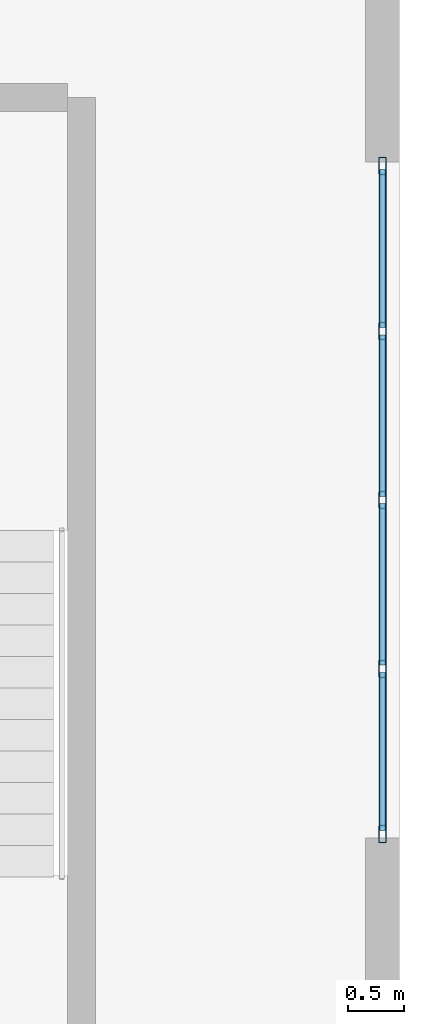
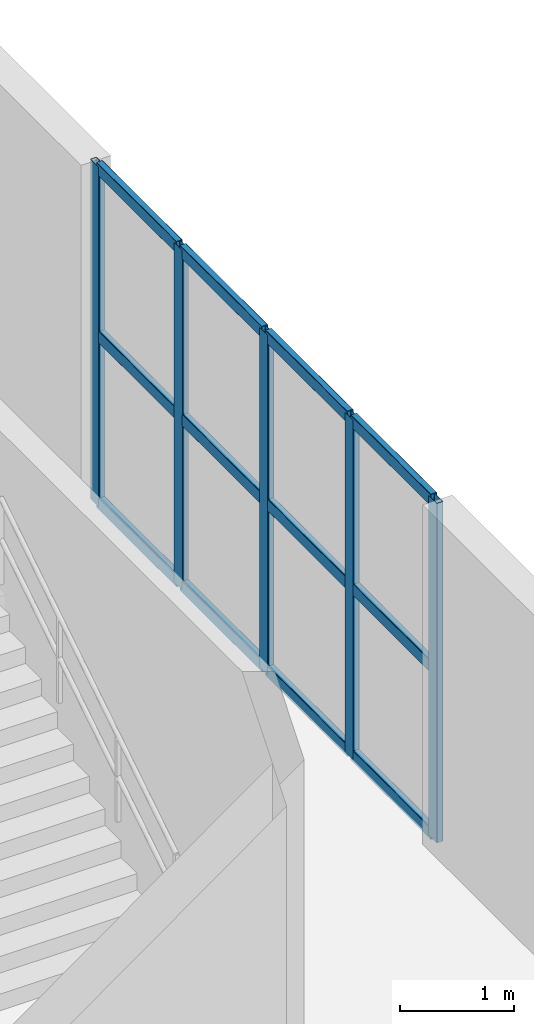
# One storey, part 2 of 6: 17 members, 1 element without a shape of its own.
"""IFC4 building model written with IfcOpenShell, lengths in metres."""

import ifcopenshell
import ifcopenshell.guid

model = None  # the IFC model being written
_history = None  # IfcOwnerHistory: only IFC2X3 demands one
_inside = {}  # id of a spatial element -> (the spatial element, [elements in it])
_under = {}  # id of a project, library or spatial element -> (it, [spatial elements below it])
_declared = {}  # id of a project -> (the project, [libraries it declares])
_typed = {}  # id of a type object -> (the type object, [elements of that type])
_made_of = {}  # id of a material, layer set ... -> (it, [elements and type objects made of it])


def new_model(schema):
    """Start an empty IFC model of exactly this schema.

    Asked for "IFC4X3", IfcOpenShell would pick the latest addendum, in which some entities
    have other attributes; the version numbers below select the first issue.
    IFC2X3 requires an IfcOwnerHistory on every rooted entity: one is made here for all.
    """
    global model, _history
    if schema == "IFC4X3":
        model = ifcopenshell.file(schema_version=(4, 3, 0, 0))
    else:
        model = ifcopenshell.file(schema=schema)
    _inside.clear()
    _under.clear()
    _declared.clear()
    _typed.clear()
    _made_of.clear()
    _history = None
    if model.schema == "IFC2X3":
        org = make("IfcOrganization", Name="unknown")
        user = make(
            "IfcPersonAndOrganization",
            ThePerson=make("IfcPerson", FamilyName="unknown"),
            TheOrganization=org,
        )
        app = make(
            "IfcApplication",
            ApplicationDeveloper=org,
            Version="unknown",
            ApplicationFullName="unknown",
            ApplicationIdentifier="unknown",
        )
        _history = make(
            "IfcOwnerHistory",
            OwningUser=user,
            OwningApplication=app,
            ChangeAction="ADDED",
            CreationDate=0,
        )
    return model


def make(cls, **values):
    """One entity of the class cls with the attributes given. An attribute that is None is left unset."""
    return model.create_entity(
        cls, **{name: value for name, value in values.items() if value is not None}
    )


def entity(cls, *values):
    """Any entity or typed value of the class cls, its attributes in the order of the schema. None: left unset."""
    e = model.create_entity(cls)
    for i, value in enumerate(values):
        if value is not None:
            e[i] = value
    return e


def rooted(cls, **values):
    """An entity with a GlobalId (a new one), such as an element, a storey or a relation."""
    return make(cls, GlobalId=ifcopenshell.guid.new(), OwnerHistory=_history, **values)


def si_unit(unit_type, name, prefix=None):
    """IfcSIUnit, for example si_unit("LENGTHUNIT", "METRE", prefix="MILLI")."""
    return make("IfcSIUnit", UnitType=unit_type, Prefix=prefix, Name=name)


def converted_unit(unit_type, name, factor, base, dimensions=None, offset=None):
    """IfcConversionBasedUnit, such as the inch: factor (a typed value) times the base unit."""
    return make(
        "IfcConversionBasedUnit"
        if offset is None
        else "IfcConversionBasedUnitWithOffset",
        ConversionOffset=offset,
        Dimensions=None
        if dimensions is None
        else entity("IfcDimensionalExponents", *dimensions),
        UnitType=unit_type,
        Name=name,
        ConversionFactor=make(
            "IfcMeasureWithUnit", ValueComponent=factor, UnitComponent=base
        ),
    )


def assignment(units):
    """IfcUnitAssignment: the units of a project."""
    return None if units is None else make("IfcUnitAssignment", Units=units)


def point(xyz):
    """IfcCartesianPoint."""
    return None if xyz is None else make("IfcCartesianPoint", Coordinates=xyz)


def direction(xyz):
    """IfcDirection."""
    return None if xyz is None else make("IfcDirection", DirectionRatios=xyz)


def frame(location, z_axis=None, x_axis=None):
    """IfcAxis2Placement3D, a coordinate frame: its origin and axes. An axis left out is left unset."""
    return make(
        "IfcAxis2Placement3D",
        Location=point(location),
        Axis=direction(z_axis),
        RefDirection=direction(x_axis),
    )


def frame_2d(location, x_axis=None):
    """IfcAxis2Placement2D, a coordinate frame in the plane: its origin and x axis."""
    return make(
        "IfcAxis2Placement2D", Location=point(location), RefDirection=direction(x_axis)
    )


def origin_with_axes():
    """The frame at (0, 0, 0) with the z axis (0, 0, 1) and the x axis (1, 0, 0) written out."""
    return frame((0.0, 0.0, 0.0), z_axis=(0.0, 0.0, 1.0), x_axis=(1.0, 0.0, 0.0))


def origin_2d_with_axis():
    """The frame at (0, 0) in the plane with the x axis (1, 0) written out."""
    return frame_2d((0.0, 0.0), x_axis=(1.0, 0.0))


def place(relative_to, where):
    """IfcLocalPlacement: puts the frame where relative to a parent placement (None: the world)."""
    return make(
        "IfcLocalPlacement", PlacementRelTo=relative_to, RelativePlacement=where
    )


def context(
    kind, dimensions, precision=None, world=None, true_north=None, identifier=None
):
    """IfcGeometricRepresentationContext, for example the 3D "Model" context."""
    return make(
        "IfcGeometricRepresentationContext",
        ContextIdentifier=identifier,
        ContextType=kind,
        CoordinateSpaceDimension=dimensions,
        Precision=precision,
        WorldCoordinateSystem=world,
        TrueNorth=true_north,
    )


def subcontext(parent, identifier, kind, view, scale=None):
    """IfcGeometricRepresentationSubContext, for example "Body" below "Model"."""
    return make(
        "IfcGeometricRepresentationSubContext",
        ContextIdentifier=identifier,
        ContextType=kind,
        ParentContext=parent,
        TargetScale=scale,
        TargetView=view,
    )


def project(units=None, contexts=None):
    """IfcProject with its units and contexts."""
    return rooted(
        "IfcProject",
        Name="project",
        RepresentationContexts=contexts,
        UnitsInContext=assignment(units),
    )


def spatial(cls, under=None, at=None, **own):
    """A site, building, storey or space (cls), placed at a placement, below another one or the project."""
    s = rooted(cls, ObjectPlacement=at, **own)
    if under is not None:
        _under.setdefault(under.id(), (under, []))[1].append(s)
    return s


def profile(cls, at=None, kind="AREA", **sizes):
    """A parametric profile (cls). Its sizes go by their IFC names, for example OverallWidth=200.0."""
    return make(cls, ProfileType=kind, Position=at, **sizes)


def hollow_rectangle(**sizes):
    """IfcRectangleHollowProfileDef."""
    return profile("IfcRectangleHollowProfileDef", **sizes)


def extrude(swept, where, along, depth):
    """IfcExtrudedAreaSolid: the profile swept, set in the frame where, extruded along a direction by depth."""
    return make(
        "IfcExtrudedAreaSolid",
        SweptArea=swept,
        Position=where,
        ExtrudedDirection=direction(along),
        Depth=depth,
    )


def shape(context_of_items, identifier, shape_type, items):
    """IfcShapeRepresentation: the items that make up one representation, for example the "Body"."""
    return make(
        "IfcShapeRepresentation",
        ContextOfItems=context_of_items,
        RepresentationIdentifier=identifier,
        RepresentationType=shape_type,
        Items=items,
    )


def material(Name=None, Category=None):
    """IfcMaterial."""
    return make("IfcMaterial", Name=Name, Category=Category)


def material_profile(
    of_material, cross_section, Name=None, Category=None, Priority=None
):
    """IfcMaterialProfile: a cross section and its material."""
    return make(
        "IfcMaterialProfile",
        Name=Name,
        Material=of_material,
        Profile=cross_section,
        Priority=Priority,
        Category=Category,
    )


def profile_set(profiles, Name=None, composite=None):
    """IfcMaterialProfileSet."""
    return make(
        "IfcMaterialProfileSet",
        Name=Name,
        MaterialProfiles=profiles,
        CompositeProfile=composite,
    )


def made_of(thing, what):
    """Note that an element or type object is made of a material, layer set ...; save() writes the relation."""
    if what is not None:
        _made_of.setdefault(what.id(), (what, []))[1].append(thing)
    return thing


def type_object(cls, material=None, **own):
    """A type object (cls), such as IfcWallType, which elements share."""
    return made_of(rooted(cls, **own), material)


def element(
    cls,
    number,
    at=None,
    inside=None,
    cuts=None,
    type_object=None,
    material=None,
    context=None,
    identifier="Body",
    shape_type=None,
    held_by="IfcProductDefinitionShape",
    body=None,
    shapes=None,
    **own,
):
    """One element of the class cls, such as IfcWall. Its Tag is "e" and its number.

    at: its placement. inside: the storey or other place that contains it. cuts: it is an
    opening in that element (IfcRelVoidsElement). A single representation is given by context,
    identifier, shape_type and body (its items); several are given by shapes. held_by: the class
    of the entity that holds the representations. save() writes the other relations.
    """
    e = rooted(cls, Tag="e%d" % number, ObjectPlacement=at, **own)
    if body is not None:
        shapes = [shape(context, identifier, shape_type, body)]
    if shapes is not None:
        e.Representation = make(held_by, Representations=shapes)
    if inside is not None:
        _inside.setdefault(inside.id(), (inside, []))[1].append(e)
    if cuts is not None:
        rooted(
            "IfcRelVoidsElement", RelatingBuildingElement=cuts, RelatedOpeningElement=e
        )
    if type_object is not None:
        _typed.setdefault(type_object.id(), (type_object, []))[1].append(e)
    return made_of(e, material)


def aggregate(whole, parts):
    """IfcRelAggregates: a whole, such as a stair, and the parts it consists of."""
    return rooted("IfcRelAggregates", RelatingObject=whole, RelatedObjects=parts)


def save(model, path):
    """Write the relations noted so far, then the file.

    IfcRelAggregates (storeys below a building ...), IfcRelContainedInSpatialStructure (elements
    in a storey), IfcRelDefinesByType, IfcRelAssociatesMaterial and IfcRelDeclares: one each for
    every whole, place, type object, material and project.
    """
    for whole, parts in _under.values():
        aggregate(whole, parts)
    for where, things in _inside.values():
        rooted(
            "IfcRelContainedInSpatialStructure",
            RelatedElements=things,
            RelatingStructure=where,
        )
    for kind, things in _typed.values():
        rooted("IfcRelDefinesByType", RelatedObjects=things, RelatingType=kind)
    for what, things in _made_of.values():
        rooted("IfcRelAssociatesMaterial", RelatedObjects=things, RelatingMaterial=what)
    for by, libraries in _declared.values():
        rooted("IfcRelDeclares", RelatingContext=by, RelatedDefinitions=libraries)
    model.write(path)


model = new_model("IFC4")

# Units and contexts
model_context = context("Model", 3, precision=1e-05, world=origin_with_axes(), true_north=direction((0.0, 1.0)))
body_context = subcontext(model_context, "Body", "Model", "MODEL_VIEW")
ifc_project = project(units=[si_unit("LENGTHUNIT", "METRE"), si_unit("AREAUNIT", "SQUARE_METRE"), si_unit("VOLUMEUNIT", "CUBIC_METRE"), converted_unit("PLANEANGLEUNIT", "DEGREE", entity("IfcPlaneAngleMeasure", 0.017453292519943295), si_unit("PLANEANGLEUNIT", "RADIAN"), dimensions=[0, 0, 0, 0, 0, 0, 0]), si_unit("MASSUNIT", "GRAM", prefix="KILO"), si_unit("THERMODYNAMICTEMPERATUREUNIT", "KELVIN")], contexts=[model_context])

# Site, building, storey
site_placement = place(None, origin_with_axes())
site = spatial("IfcSite", under=ifc_project, at=site_placement, CompositionType="ELEMENT")
building_placement = place(site_placement, origin_with_axes())
building = spatial("IfcBuilding", under=site, at=building_placement, Name="Varnlund Millrace Tower", CompositionType="ELEMENT")
storey_placement = place(building_placement, frame((0.0, 0.0, 320.4), z_axis=(0.0, 0.0, 1.0), x_axis=(1.0, 0.0, 0.0)))
storey = spatial("IfcBuildingStorey", under=building, at=storey_placement, Name="L79", CompositionType="ELEMENT", Elevation=320.4)

# Curtain wall, members
ifc_material_1 = material(Name="Thermally broken architectural bronze curtain wall", Category="aluminium")
curtain_wall_type = type_object("IfcCurtainWallType", Name="Type-CW-Sys7-CrownLantern", PredefinedType="NOTDEFINED", material=ifc_material_1)
curtain_wall_placement = place(storey_placement, frame((30.45, 37.0, 0.0), z_axis=(0.0, 0.0, 1.0), x_axis=(1.0, 0.0, 0.0)))
curtain_wall = element("IfcCurtainWall", 1, at=curtain_wall_placement, inside=storey, type_object=curtain_wall_type, Name="Type-CW-Sys7-CrownLantern", PredefinedType="NOTDEFINED")
ifc_material_2 = material(Name="Architectural bronze aluminium alloy 6063-T6", Category="aluminium")
ifc_material_profile_1 = material_profile(ifc_material_2, hollow_rectangle(XDim=0.065, YDim=0.155, WallThickness=0.0045, InnerFilletRadius=0.004, OuterFilletRadius=0.009, at=origin_2d_with_axis()), Name="Architectural bronze aluminium alloy 6063-T6")
ifc_profile_set_1 = profile_set([ifc_material_profile_1], Name="Architectural bronze aluminium alloy 6063-T6")
member_type_1 = type_object("IfcMemberType", Name="Type-CW-Mullion-65X155", PredefinedType="MULLION", material=ifc_profile_set_1)
member_1_placement = place(storey_placement, frame((30.45, 36.9675, 0.0), z_axis=(0.0, 0.0, 1.0), x_axis=(1.0, 0.0, 0.0)))
member_1 = element("IfcMember", 2, at=member_1_placement, type_object=member_type_1, Name="CW-07 mullion 1", PredefinedType="MULLION", context=body_context, shape_type="SweptSolid", body=[
    extrude(hollow_rectangle(XDim=0.065, YDim=0.155, WallThickness=0.0045, InnerFilletRadius=0.004, OuterFilletRadius=0.009, at=origin_2d_with_axis()), origin_with_axes(), (0.0, 0.0, 1.0), 3.64),
])
member_2_placement = place(storey_placement, frame((30.45, 35.5, 0.0), z_axis=(0.0, 0.0, 1.0), x_axis=(1.0, 0.0, 0.0)))
member_2 = element("IfcMember", 3, at=member_2_placement, type_object=member_type_1, Name="CW-07 mullion 2", PredefinedType="MULLION", context=body_context, shape_type="SweptSolid", body=[
    extrude(hollow_rectangle(XDim=0.065, YDim=0.155, WallThickness=0.0045, InnerFilletRadius=0.004, OuterFilletRadius=0.009, at=origin_2d_with_axis()), origin_with_axes(), (0.0, 0.0, 1.0), 3.64),
])
member_3_placement = place(storey_placement, frame((30.45, 34.0, 0.0), z_axis=(0.0, 0.0, 1.0), x_axis=(1.0, 0.0, 0.0)))
member_3 = element("IfcMember", 4, at=member_3_placement, type_object=member_type_1, Name="CW-07 mullion 3", PredefinedType="MULLION", context=body_context, shape_type="SweptSolid", body=[
    extrude(hollow_rectangle(XDim=0.065, YDim=0.155, WallThickness=0.0045, InnerFilletRadius=0.004, OuterFilletRadius=0.009, at=origin_2d_with_axis()), origin_with_axes(), (0.0, 0.0, 1.0), 3.64),
])
member_4_placement = place(storey_placement, frame((30.45, 32.5, 0.0), z_axis=(0.0, 0.0, 1.0), x_axis=(1.0, 0.0, 0.0)))
member_4 = element("IfcMember", 5, at=member_4_placement, type_object=member_type_1, Name="CW-07 mullion 4", PredefinedType="MULLION", context=body_context, shape_type="SweptSolid", body=[
    extrude(hollow_rectangle(XDim=0.065, YDim=0.155, WallThickness=0.0045, InnerFilletRadius=0.004, OuterFilletRadius=0.009, at=origin_2d_with_axis()), origin_with_axes(), (0.0, 0.0, 1.0), 3.64),
])
member_5_placement = place(storey_placement, frame((30.45, 31.0325, 0.0), z_axis=(0.0, 0.0, 1.0), x_axis=(1.0, 0.0, 0.0)))
member_5 = element("IfcMember", 6, at=member_5_placement, type_object=member_type_1, Name="CW-07 mullion 5", PredefinedType="MULLION", context=body_context, shape_type="SweptSolid", body=[
    extrude(hollow_rectangle(XDim=0.065, YDim=0.155, WallThickness=0.0045, InnerFilletRadius=0.004, OuterFilletRadius=0.009, at=origin_2d_with_axis()), origin_with_axes(), (0.0, 0.0, 1.0), 3.64),
])
ifc_material_profile_2 = material_profile(ifc_material_2, hollow_rectangle(XDim=0.065, YDim=0.13, WallThickness=0.0045, InnerFilletRadius=0.004, OuterFilletRadius=0.009, at=origin_2d_with_axis()), Name="Architectural bronze aluminium alloy 6063-T6")
ifc_profile_set_2 = profile_set([ifc_material_profile_2], Name="Architectural bronze aluminium alloy 6063-T6")
member_type_2 = type_object("IfcMemberType", Name="Type-CW-Transom-65X130", PredefinedType="USERDEFINED", material=ifc_profile_set_2)
member_6_placement = place(storey_placement, frame((30.45, 36.935, 0.0325), z_axis=(0.0, -1.0, 0.0), x_axis=(1.0, 0.0, 0.0)))
member_6 = element("IfcMember", 7, at=member_6_placement, type_object=member_type_2, Name="CW-07 transom 1.1", ObjectType="TRANSOM", PredefinedType="USERDEFINED", context=body_context, shape_type="SweptSolid", body=[
    extrude(hollow_rectangle(XDim=0.065, YDim=0.13, WallThickness=0.0045, InnerFilletRadius=0.004, OuterFilletRadius=0.009, at=origin_2d_with_axis()), origin_with_axes(), (0.0, 0.0, 1.0), 1.4025),
])
member_7_placement = place(storey_placement, frame((30.45, 36.935, 1.82), z_axis=(0.0, -1.0, 0.0), x_axis=(1.0, 0.0, 0.0)))
member_7 = element("IfcMember", 8, at=member_7_placement, type_object=member_type_2, Name="CW-07 transom 1.2", ObjectType="TRANSOM", PredefinedType="USERDEFINED", context=body_context, shape_type="SweptSolid", body=[
    extrude(hollow_rectangle(XDim=0.065, YDim=0.13, WallThickness=0.0045, InnerFilletRadius=0.004, OuterFilletRadius=0.009, at=origin_2d_with_axis()), origin_with_axes(), (0.0, 0.0, 1.0), 1.4025),
])
member_8_placement = place(storey_placement, frame((30.45, 36.935, 3.6075), z_axis=(0.0, -1.0, 0.0), x_axis=(1.0, 0.0, 0.0)))
member_8 = element("IfcMember", 9, at=member_8_placement, type_object=member_type_2, Name="CW-07 transom 1.3", ObjectType="TRANSOM", PredefinedType="USERDEFINED", context=body_context, shape_type="SweptSolid", body=[
    extrude(hollow_rectangle(XDim=0.065, YDim=0.13, WallThickness=0.0045, InnerFilletRadius=0.004, OuterFilletRadius=0.009, at=origin_2d_with_axis()), origin_with_axes(), (0.0, 0.0, 1.0), 1.4025),
])
member_9_placement = place(storey_placement, frame((30.45, 35.4675, 0.0325), z_axis=(0.0, -1.0, 0.0), x_axis=(1.0, 0.0, 0.0)))
member_9 = element("IfcMember", 10, at=member_9_placement, type_object=member_type_2, Name="CW-07 transom 2.1", ObjectType="TRANSOM", PredefinedType="USERDEFINED", context=body_context, shape_type="SweptSolid", body=[
    extrude(hollow_rectangle(XDim=0.065, YDim=0.13, WallThickness=0.0045, InnerFilletRadius=0.004, OuterFilletRadius=0.009, at=origin_2d_with_axis()), origin_with_axes(), (0.0, 0.0, 1.0), 1.435),
])
member_10_placement = place(storey_placement, frame((30.45, 35.4675, 1.82), z_axis=(0.0, -1.0, 0.0), x_axis=(1.0, 0.0, 0.0)))
member_10 = element("IfcMember", 11, at=member_10_placement, type_object=member_type_2, Name="CW-07 transom 2.2", ObjectType="TRANSOM", PredefinedType="USERDEFINED", context=body_context, shape_type="SweptSolid", body=[
    extrude(hollow_rectangle(XDim=0.065, YDim=0.13, WallThickness=0.0045, InnerFilletRadius=0.004, OuterFilletRadius=0.009, at=origin_2d_with_axis()), origin_with_axes(), (0.0, 0.0, 1.0), 1.435),
])
member_11_placement = place(storey_placement, frame((30.45, 35.4675, 3.6075), z_axis=(0.0, -1.0, 0.0), x_axis=(1.0, 0.0, 0.0)))
member_11 = element("IfcMember", 12, at=member_11_placement, type_object=member_type_2, Name="CW-07 transom 2.3", ObjectType="TRANSOM", PredefinedType="USERDEFINED", context=body_context, shape_type="SweptSolid", body=[
    extrude(hollow_rectangle(XDim=0.065, YDim=0.13, WallThickness=0.0045, InnerFilletRadius=0.004, OuterFilletRadius=0.009, at=origin_2d_with_axis()), origin_with_axes(), (0.0, 0.0, 1.0), 1.435),
])
member_12_placement = place(storey_placement, frame((30.45, 33.9675, 0.0325), z_axis=(0.0, -1.0, 0.0), x_axis=(1.0, 0.0, 0.0)))
member_12 = element("IfcMember", 13, at=member_12_placement, type_object=member_type_2, Name="CW-07 transom 3.1", ObjectType="TRANSOM", PredefinedType="USERDEFINED", context=body_context, shape_type="SweptSolid", body=[
    extrude(hollow_rectangle(XDim=0.065, YDim=0.13, WallThickness=0.0045, InnerFilletRadius=0.004, OuterFilletRadius=0.009, at=origin_2d_with_axis()), origin_with_axes(), (0.0, 0.0, 1.0), 1.435),
])
member_13_placement = place(storey_placement, frame((30.45, 33.9675, 1.82), z_axis=(0.0, -1.0, 0.0), x_axis=(1.0, 0.0, 0.0)))
member_13 = element("IfcMember", 14, at=member_13_placement, type_object=member_type_2, Name="CW-07 transom 3.2", ObjectType="TRANSOM", PredefinedType="USERDEFINED", context=body_context, shape_type="SweptSolid", body=[
    extrude(hollow_rectangle(XDim=0.065, YDim=0.13, WallThickness=0.0045, InnerFilletRadius=0.004, OuterFilletRadius=0.009, at=origin_2d_with_axis()), origin_with_axes(), (0.0, 0.0, 1.0), 1.435),
])
member_14_placement = place(storey_placement, frame((30.45, 33.9675, 3.6075), z_axis=(0.0, -1.0, 0.0), x_axis=(1.0, 0.0, 0.0)))
member_14 = element("IfcMember", 15, at=member_14_placement, type_object=member_type_2, Name="CW-07 transom 3.3", ObjectType="TRANSOM", PredefinedType="USERDEFINED", context=body_context, shape_type="SweptSolid", body=[
    extrude(hollow_rectangle(XDim=0.065, YDim=0.13, WallThickness=0.0045, InnerFilletRadius=0.004, OuterFilletRadius=0.009, at=origin_2d_with_axis()), origin_with_axes(), (0.0, 0.0, 1.0), 1.435),
])
member_15_placement = place(storey_placement, frame((30.45, 32.4675, 0.0325), z_axis=(0.0, -1.0, 0.0), x_axis=(1.0, 0.0, 0.0)))
member_15 = element("IfcMember", 16, at=member_15_placement, type_object=member_type_2, Name="CW-07 transom 4.1", ObjectType="TRANSOM", PredefinedType="USERDEFINED", context=body_context, shape_type="SweptSolid", body=[
    extrude(hollow_rectangle(XDim=0.065, YDim=0.13, WallThickness=0.0045, InnerFilletRadius=0.004, OuterFilletRadius=0.009, at=origin_2d_with_axis()), origin_with_axes(), (0.0, 0.0, 1.0), 1.4025),
])
member_16_placement = place(storey_placement, frame((30.45, 32.4675, 1.82), z_axis=(0.0, -1.0, 0.0), x_axis=(1.0, 0.0, 0.0)))
member_16 = element("IfcMember", 17, at=member_16_placement, type_object=member_type_2, Name="CW-07 transom 4.2", ObjectType="TRANSOM", PredefinedType="USERDEFINED", context=body_context, shape_type="SweptSolid", body=[
    extrude(hollow_rectangle(XDim=0.065, YDim=0.13, WallThickness=0.0045, InnerFilletRadius=0.004, OuterFilletRadius=0.009, at=origin_2d_with_axis()), origin_with_axes(), (0.0, 0.0, 1.0), 1.4025),
])
member_17_placement = place(storey_placement, frame((30.45, 32.4675, 3.6075), z_axis=(0.0, -1.0, 0.0), x_axis=(1.0, 0.0, 0.0)))
member_17 = element("IfcMember", 18, at=member_17_placement, type_object=member_type_2, Name="CW-07 transom 4.3", ObjectType="TRANSOM", PredefinedType="USERDEFINED", context=body_context, shape_type="SweptSolid", body=[
    extrude(hollow_rectangle(XDim=0.065, YDim=0.13, WallThickness=0.0045, InnerFilletRadius=0.004, OuterFilletRadius=0.009, at=origin_2d_with_axis()), origin_with_axes(), (0.0, 0.0, 1.0), 1.4025),
])
aggregate(curtain_wall, [member_1, member_2, member_3, member_4, member_5, member_6, member_7, member_8, member_9, member_10, member_11, member_12, member_13, member_14, member_15, member_16, member_17])

save(model, "model.ifc")
